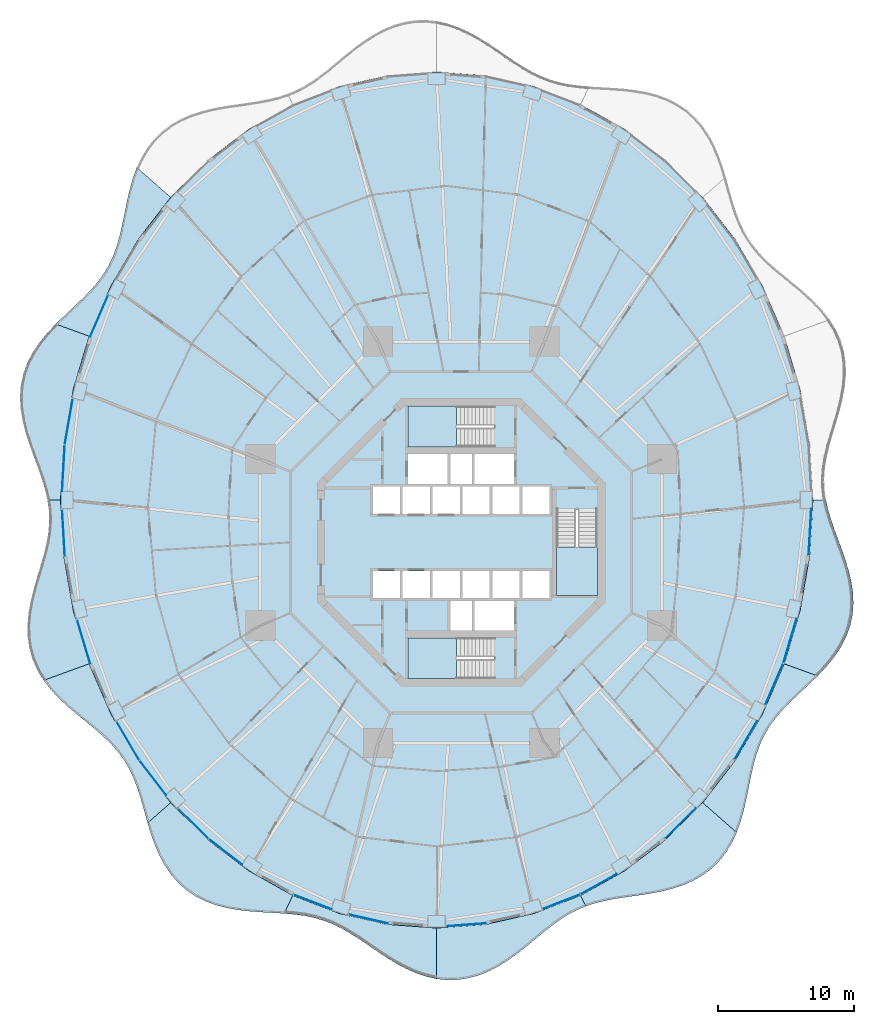
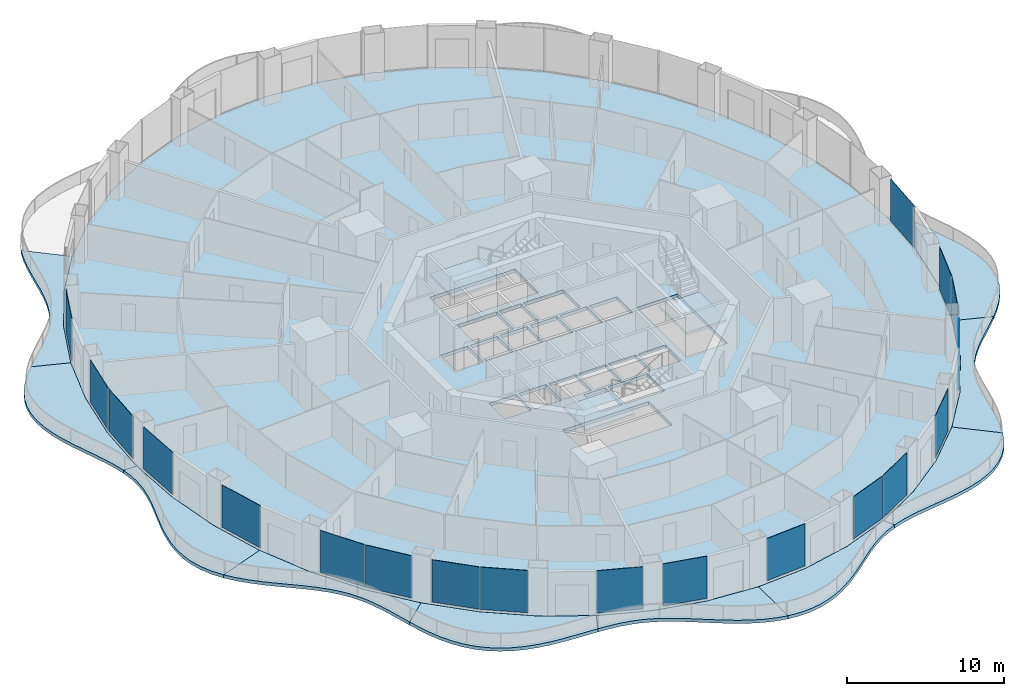
# One storey, part 13 of 24: 19 plates, 14 slabs, 22 elements without a shape of their own.
"""IFC4 building model written with IfcOpenShell, lengths in metres."""

from ifc_helpers import new_model, si_unit, direction, frame, origin, origin_2d, place, context, subcontext, project, spatial, polyline, rectangle, outline, extrude, material, layer, layer_set, type_object, element, aggregate, save


model = new_model("IFC4")

# Units and contexts
model_context = context("Model", 3, precision=1e-05, world=origin(), true_north=direction((0.0, 1.0)))
body_context = subcontext(model_context, "Body", "Model", "MODEL_VIEW")
ifc_project = project(units=[si_unit("LENGTHUNIT", "METRE"), si_unit("AREAUNIT", "SQUARE_METRE"), si_unit("VOLUMEUNIT", "CUBIC_METRE"), si_unit("PLANEANGLEUNIT", "RADIAN"), si_unit("MASSUNIT", "GRAM", prefix="KILO")], contexts=[model_context])

# Site, building, storey
site_placement = place(None, origin())
site = spatial("IfcSite", under=ifc_project, at=site_placement, CompositionType="ELEMENT")
building_placement = place(site_placement, origin())
building = spatial("IfcBuilding", under=site, at=building_placement, Name="Nagisa Residences", CompositionType="ELEMENT")
storey_placement = place(building_placement, frame((0.0, 0.0, 102.89990234375)))
storey = spatial("IfcBuildingStorey", under=building, at=storey_placement, Name="L25", CompositionType="ELEMENT", Elevation=102.89990234375)

# Slabs
ifc_material_1 = material(Name="Concrete C40/50", Category="concrete")
ifc_layer_1 = layer(ifc_material_1, 0.25)
ifc_layer_set_1 = layer_set([ifc_layer_1], Name="BALCONY SLAB 250")
slab_type_1 = type_object("IfcSlabType", Name="BALCONY SLAB 250", PredefinedType="FLOOR", material=ifc_layer_set_1)
slab_1_placement = place(storey_placement, frame((0.0, 0.0, -0.25)))
element("IfcSlab", 1, at=slab_1_placement, inside=storey, type_object=slab_type_1, Name="slab:L25:bal06", PredefinedType="FLOOR", context=body_context, shape_type="SweptSolid", body=[
    extrude(outline(polyline([(-23.879638671875, 27.595947265625), (-24.1767578125, 26.765625), (-24.41552734375, 25.908935546875), (-24.612548828125, 25.042724609375), (-24.786376953125, 24.182373046875), (-24.957275390625, 23.341552734375), (-25.144775390625, 22.53076171875), (-25.367431640625, 21.757568359375), (-25.6396484375, 21.025390625), (-25.972900390625, 20.334228515625), (-26.373046875, 19.6806640625), (-26.8408203125, 19.05810546875), (-27.37109375, 18.457763671875), (-27.953369140625, 17.86962890625), (-28.572509765625, 17.28271484375), (-29.209228515625, 16.6865234375), (-29.84228515625, 16.07177734375), (-27.386962890625, 15.177978515625), (-25.78466796875, 18.875244140625), (-23.77197265625, 22.302734375), (-21.38330078125, 25.402099609375), (-23.879638671875, 27.595947265625)])), origin(), (0.0, 0.0, 1.0), 0.25),
])
slab_2_placement = place(storey_placement, frame((0.0, 0.0, -0.25)))
element("IfcSlab", 2, at=slab_2_placement, inside=storey, type_object=slab_type_1, Name="slab:L25:bal07", PredefinedType="FLOOR", context=body_context, shape_type="SweptSolid", body=[
    extrude(outline(polyline([(-29.84228515625, 16.07177734375), (-30.46728515625, 15.409423828125), (-31.0390625, 14.713134765625), (-31.53564453125, 13.9794921875), (-31.93798828125, 13.208984375), (-32.232421875, 12.404052734375), (-32.412109375, 11.56982421875), (-32.475830078125, 10.71337890625), (-32.43017578125, 9.8427734375), (-32.287841796875, 8.966064453125), (-32.06689453125, 8.091552734375), (-31.7900390625, 7.225341796875), (-31.48291015625, 6.372802734375), (-31.171630859375, 5.5361328125), (-30.8818359375, 4.71630859375), (-30.636474609375, 3.911376953125), (-30.454345703125, 3.11767578125), (-29.4951171875, 3.11767578125), (-29.258056640625, 7.231201171875), (-28.55126953125, 11.2744140625), (-27.386962890625, 15.177978515625), (-29.84228515625, 16.07177734375)])), origin(), (0.0, 0.0, 1.0), 0.25),
])
slab_3_placement = place(storey_placement, frame((0.0, 0.0, -0.25)))
element("IfcSlab", 3, at=slab_3_placement, inside=storey, type_object=slab_type_1, Name="slab:L25:bal08", PredefinedType="FLOOR", context=body_context, shape_type="SweptSolid", body=[
    extrude(outline(polyline([(-30.454345703125, 3.11767578125), (-30.34814453125, 2.330078125), (-30.324951171875, 1.54296875), (-30.384033203125, 0.75), (-30.518310546875, -0.05419921875), (-30.714111328125, -0.8740234375), (-30.95263671875, -1.711669921875), (-31.210205078125, -2.567138671875), (-31.46142578125, -3.438720703125), (-31.68017578125, -4.321533203125), (-31.841552734375, -5.209228515625), (-31.92333984375, -6.09375), (-31.908203125, -6.965576171875), (-31.783935546875, -7.816162109375), (-31.545166015625, -8.636474609375), (-31.193603515625, -9.420166015625), (-30.73681640625, -10.162109375), (-27.386962890625, -8.942626953125), (-28.55126953125, -5.0390625), (-29.258056640625, -0.995849609375), (-29.4951171875, 3.11767578125), (-30.454345703125, 3.11767578125)])), origin(), (0.0, 0.0, 1.0), 0.25),
])
slab_4_placement = place(storey_placement, frame((0.0, 0.0, -0.25)))
element("IfcSlab", 4, at=slab_4_placement, inside=storey, type_object=slab_type_1, Name="slab:L25:bal09", PredefinedType="FLOOR", context=body_context, shape_type="SweptSolid", body=[
    extrude(outline(polyline([(-30.73681640625, -10.162109375), (-30.20703125, -10.83935546875), (-29.60888671875, -11.477294921875), (-28.96240234375, -12.0791015625), (-28.28955078125, -12.65234375), (-27.61279296875, -13.205322265625), (-26.953125, -13.749267578125), (-26.328857421875, -14.2958984375), (-25.7548828125, -14.857177734375), (-25.240966796875, -15.4443359375), (-24.791748046875, -16.066162109375), (-24.406494140625, -16.72998046875), (-24.0791015625, -17.438720703125), (-23.798583984375, -18.192138671875), (-23.55029296875, -18.98583984375), (-23.316650390625, -19.811279296875), (-23.078857421875, -20.65673828125), (-21.38330078125, -19.166748046875), (-23.77197265625, -16.0673828125), (-25.78466796875, -12.639892578125), (-27.386962890625, -8.942626953125), (-30.73681640625, -10.162109375)])), origin(), (0.0, 0.0, 1.0), 0.25),
])
slab_5_placement = place(storey_placement, frame((0.0, 0.0, -0.25)))
element("IfcSlab", 5, at=slab_5_placement, inside=storey, type_object=slab_type_1, Name="slab:L25:bal10", PredefinedType="FLOOR", context=body_context, shape_type="SweptSolid", body=[
    extrude(outline(polyline([(-23.078857421875, -20.65673828125), (-22.830810546875, -21.467529296875), (-22.546142578125, -22.26806640625), (-22.211669921875, -23.04345703125), (-21.81640625, -23.777587890625), (-21.353515625, -24.456787109375), (-20.819091796875, -25.068359375), (-20.214111328125, -25.60302734375), (-19.542236328125, -26.055419921875), (-18.811279296875, -26.423095703125), (-18.031494140625, -26.709228515625), (-17.214599609375, -26.920166015625), (-16.374267578125, -27.066650390625), (-15.5234375, -27.1630859375), (-14.67431640625, -27.2255859375), (-13.837890625, -27.272705078125), (-13.022705078125, -27.32275390625), (-12.3984375, -25.998291015625), (-15.6474609375, -24.175048828125), (-18.65966796875, -21.884765625), (-21.38330078125, -19.166748046875), (-23.078857421875, -20.65673828125)])), origin(), (0.0, 0.0, 1.0), 0.25),
])
slab_6_placement = place(storey_placement, frame((0.0, 0.0, -0.25)))
element("IfcSlab", 6, at=slab_6_placement, inside=storey, type_object=slab_type_1, Name="slab:L25:bal11", PredefinedType="FLOOR", context=body_context, shape_type="SweptSolid", body=[
    extrude(outline(polyline([(-13.022705078125, -27.32275390625), (-12.26220703125, -27.390380859375), (-11.529052734375, -27.4912109375), (-10.822998046875, -27.63671875), (-10.141845703125, -27.835205078125), (-9.480224609375, -28.091064453125), (-8.83251953125, -28.403564453125), (-8.191162109375, -28.76904296875), (-7.548828125, -29.17822265625), (-6.89794921875, -29.618896484375), (-6.232666015625, -30.075927734375), (-5.547607421875, -30.531005859375), (-4.84033203125, -30.965576171875), (-4.109375, -31.360595703125), (-3.356689453125, -31.697998046875), (-2.585205078125, -31.96142578125), (-1.800048828125, -32.13818359375), (-1.800048828125, -28.397216796875), (-5.4150390625, -28.127685546875), (-8.968017578125, -27.323486328125), (-12.3984375, -25.998291015625), (-13.022705078125, -27.32275390625)])), origin(), (0.0, 0.0, 1.0), 0.25),
])
slab_7_placement = place(storey_placement, frame((0.0, 0.0, -0.25)))
element("IfcSlab", 7, at=slab_7_placement, inside=storey, type_object=slab_type_1, Name="slab:L25:bal12", PredefinedType="FLOOR", context=body_context, shape_type="SweptSolid", body=[
    extrude(outline(polyline([(-1.800048828125, -32.13818359375), (-1.007568359375, -32.21875), (-0.215087890625, -32.1982421875), (0.570068359375, -32.076171875), (1.3408203125, -31.85693359375), (2.091552734375, -31.549072265625), (2.817626953125, -31.1650390625), (3.516845703125, -30.719970703125), (4.188720703125, -30.23193359375), (4.83544921875, -29.7197265625), (5.461181640625, -29.201904296875), (6.07177734375, -28.696044921875), (6.674560546875, -28.218505859375), (7.277587890625, -27.781494140625), (7.8896484375, -27.39453125), (8.518310546875, -27.062744140625), (9.170166015625, -26.787109375), (8.79833984375, -25.998291015625), (5.367919921875, -27.323486328125), (1.81494140625, -28.127685546875), (-1.800048828125, -28.397216796875), (-1.800048828125, -32.13818359375)])), origin(), (0.0, 0.0, 1.0), 0.25),
])
slab_8_placement = place(storey_placement, frame((0.0, 0.0, -0.25)))
element("IfcSlab", 8, at=slab_8_placement, inside=storey, type_object=slab_type_1, Name="slab:L25:bal13", PredefinedType="FLOOR", context=body_context, shape_type="SweptSolid", body=[
    extrude(outline(polyline([(9.170166015625, -26.787109375), (9.876220703125, -26.556884765625), (10.615478515625, -26.37548828125), (11.3876953125, -26.231201171875), (12.189453125, -26.109130859375), (13.013916015625, -25.992431640625), (13.851806640625, -25.86376953125), (14.69140625, -25.705322265625), (15.51904296875, -25.501708984375), (16.320556640625, -25.239013671875), (17.082275390625, -24.90673828125), (17.791015625, -24.498779296875), (18.436279296875, -24.011962890625), (19.010009765625, -23.447998046875), (19.508056640625, -22.811767578125), (19.93017578125, -22.1123046875), (20.279541015625, -21.3603515625), (17.783203125, -19.166748046875), (15.0595703125, -21.884765625), (12.047607421875, -24.175048828125), (8.79833984375, -25.998291015625), (9.170166015625, -26.787109375)])), origin(), (0.0, 0.0, 1.0), 0.25),
])
slab_9_placement = place(storey_placement, frame((0.0, 0.0, -0.25)))
element("IfcSlab", 9, at=slab_9_placement, inside=storey, type_object=slab_type_1, Name="slab:L25:bal14", PredefinedType="FLOOR", context=body_context, shape_type="SweptSolid", body=[
    extrude(outline(polyline([(20.279541015625, -21.3603515625), (20.57666015625, -20.5302734375), (20.815673828125, -19.673583984375), (21.012451171875, -18.807373046875), (21.186279296875, -17.947021484375), (21.357177734375, -17.106201171875), (21.544921875, -16.29541015625), (21.767333984375, -15.52197265625), (22.039794921875, -14.789794921875), (22.373046875, -14.098876953125), (22.773193359375, -13.445068359375), (23.240966796875, -12.82275390625), (23.771240234375, -12.222412109375), (24.353271484375, -11.63427734375), (24.972412109375, -11.04736328125), (25.609375, -10.451171875), (26.2421875, -9.83642578125), (23.786865234375, -8.942626953125), (22.1845703125, -12.639892578125), (20.171875, -16.0673828125), (17.783203125, -19.166748046875), (20.279541015625, -21.3603515625)])), origin(), (0.0, 0.0, 1.0), 0.25),
])
slab_10_placement = place(storey_placement, frame((0.0, 0.0, -0.25)))
element("IfcSlab", 10, at=slab_10_placement, inside=storey, type_object=slab_type_1, Name="slab:L25:bal15", PredefinedType="FLOOR", context=body_context, shape_type="SweptSolid", body=[
    extrude(outline(polyline([(26.2421875, -9.83642578125), (26.8671875, -9.174072265625), (27.439208984375, -8.477783203125), (27.935546875, -7.744140625), (28.337890625, -6.9736328125), (28.632568359375, -6.168701171875), (28.81201171875, -5.33447265625), (28.8759765625, -4.47802734375), (28.830322265625, -3.607421875), (28.687744140625, -2.730712890625), (28.466796875, -1.856201171875), (28.190185546875, -0.989990234375), (27.8828125, -0.137451171875), (27.571533203125, 0.69921875), (27.28173828125, 1.51904296875), (27.036376953125, 2.323974609375), (26.854248046875, 3.11767578125), (25.89501953125, 3.11767578125), (25.657958984375, -0.995849609375), (24.951416015625, -5.0390625), (23.786865234375, -8.942626953125), (26.2421875, -9.83642578125)])), origin(), (0.0, 0.0, 1.0), 0.25),
])

# Curtain wall, plate
ifc_material_2 = material(Name="Concrete-coloured aluminium curtain wall system", Category="concrete")
ifc_layer_2 = layer(ifc_material_2, 0.159912109375)
ifc_layer_set_2 = layer_set([ifc_layer_2], Name="CW1 CURTAIN WALL")
curtain_wall_type = type_object("IfcCurtainWallType", Name="CW1 CURTAIN WALL", PredefinedType="NOTDEFINED", material=ifc_layer_set_2)
curtain_wall_1_placement = place(storey_placement, origin())
curtain_wall_1 = element("IfcCurtainWall", 11, at=curtain_wall_1_placement, inside=storey, type_object=curtain_wall_type, Name="cw:CW1:L25:20", PredefinedType="NOTDEFINED")
ifc_material_3 = material(Name="Clear laminated glass", Category="glass")
ifc_layer_3 = layer(ifc_material_3, 0.028076171875)
ifc_layer_set_3 = layer_set([ifc_layer_3], Name="CW1 GLASS PANEL")
plate_type = type_object("IfcPlateType", Name="CW1 GLASS PANEL", PredefinedType="CURTAIN_PANEL", material=ifc_layer_set_3)
plate_1_placement = place(storey_placement, frame((-26.653564453125, 16.6689453125, 0.150146484375), z_axis=(0.0, 0.0, 1.0), x_axis=(-0.397635934147, -0.917543276295, 0.0)))
plate_1 = element("IfcPlate", 12, at=plate_1_placement, type_object=plate_type, Name="CW1 panel", PredefinedType="CURTAIN_PANEL", context=body_context, shape_type="SweptSolid", body=[
    extrude(rectangle(XDim=3.319580078125, YDim=0.028076171875, at=origin_2d()), origin(), (0.0, 0.0, 1.0), 3.2900390625),
])
aggregate(curtain_wall_1, [plate_1])

curtain_wall_2_placement = place(storey_placement, origin())
curtain_wall_2 = element("IfcCurtainWall", 13, at=curtain_wall_2_placement, inside=storey, type_object=curtain_wall_type, Name="cw:CW1:L25:22", PredefinedType="NOTDEFINED")
plate_2_placement = place(storey_placement, frame((-28.886962890625, 8.889404296875, 0.150146484375), z_axis=(0.0, 0.0, 1.0), x_axis=(-0.172190868898, -0.985063604377, 0.0)))
plate_2 = element("IfcPlate", 14, at=plate_2_placement, type_object=plate_type, Name="CW1 panel", PredefinedType="CURTAIN_PANEL", context=body_context, shape_type="SweptSolid", body=[
    extrude(rectangle(XDim=3.39453125, YDim=0.028076171875, at=origin_2d()), origin(), (0.0, 0.0, 1.0), 3.2900390625),
])
aggregate(curtain_wall_2, [plate_2])

curtain_wall_3_placement = place(storey_placement, origin())
curtain_wall_3 = element("IfcCurtainWall", 15, at=curtain_wall_3_placement, inside=storey, type_object=curtain_wall_type, Name="cw:CW1:L25:23", PredefinedType="NOTDEFINED")
plate_3_placement = place(storey_placement, frame((-29.27978515625, 5.46435546875, 0.150146484375), z_axis=(0.0, 0.0, 1.0), x_axis=(-0.057503492216, -0.998345305184, 0.0)))
plate_3 = element("IfcPlate", 16, at=plate_3_placement, type_object=plate_type, Name="CW1 panel", PredefinedType="CURTAIN_PANEL", context=body_context, shape_type="SweptSolid", body=[
    extrude(rectangle(XDim=3.410400390625, YDim=0.028076171875, at=origin_2d()), origin(), (0.0, 0.0, 1.0), 3.2900390625),
])
aggregate(curtain_wall_3, [plate_3])

curtain_wall_4_placement = place(storey_placement, origin())
curtain_wall_4 = element("IfcCurtainWall", 17, at=curtain_wall_4_placement, inside=storey, type_object=curtain_wall_type, Name="cw:CW1:L25:24", PredefinedType="NOTDEFINED")
plate_4_placement = place(storey_placement, frame((-29.2763671875, 0.711181640625, 0.150146484375), z_axis=(0.0, 0.0, 1.0), x_axis=(0.057503492216, -0.998345305184, 0.0)))
plate_4 = element("IfcPlate", 18, at=plate_4_placement, type_object=plate_type, Name="CW1 panel", PredefinedType="CURTAIN_PANEL", context=body_context, shape_type="SweptSolid", body=[
    extrude(rectangle(XDim=3.410400390625, YDim=0.028076171875, at=origin_2d()), origin(), (0.0, 0.0, 1.0), 3.2900390625),
])
aggregate(curtain_wall_4, [plate_4])

curtain_wall_5_placement = place(storey_placement, origin())
curtain_wall_5 = element("IfcCurtainWall", 19, at=curtain_wall_5_placement, inside=storey, type_object=curtain_wall_type, Name="cw:CW1:L25:26", PredefinedType="NOTDEFINED")
plate_5_placement = place(storey_placement, frame((-27.791015625, -7.30810546875, 0.150146484375), z_axis=(0.0, 0.0, 1.0), x_axis=(0.285860274038, -0.958271310082, 0.0)))
plate_5 = element("IfcPlate", 20, at=plate_5_placement, type_object=plate_type, Name="CW1 panel", PredefinedType="CURTAIN_PANEL", context=body_context, shape_type="SweptSolid", body=[
    extrude(rectangle(XDim=3.363525390625, YDim=0.028076171875, at=origin_2d()), origin(), (0.0, 0.0, 1.0), 3.2900390625),
])
aggregate(curtain_wall_5, [plate_5])

curtain_wall_6_placement = place(storey_placement, origin())
curtain_wall_6 = element("IfcCurtainWall", 21, at=curtain_wall_6_placement, inside=storey, type_object=curtain_wall_type, Name="cw:CW1:L25:28", PredefinedType="NOTDEFINED")
plate_6_placement = place(storey_placement, frame((-24.529541015625, -14.619140625, 0.150146484375), z_axis=(0.0, 0.0, 1.0), x_axis=(0.506348567002, -0.862328898214, 0.0)))
plate_6 = element("IfcPlate", 22, at=plate_6_placement, type_object=plate_type, Name="CW1 panel", PredefinedType="CURTAIN_PANEL", context=body_context, shape_type="SweptSolid", body=[
    extrude(rectangle(XDim=3.264892578125, YDim=0.028076171875, at=origin_2d()), origin(), (0.0, 0.0, 1.0), 3.2900390625),
])
aggregate(curtain_wall_6, [plate_6])

curtain_wall_7_placement = place(storey_placement, origin())
curtain_wall_7 = element("IfcCurtainWall", 23, at=curtain_wall_7_placement, inside=storey, type_object=curtain_wall_type, Name="cw:CW1:L25:29", PredefinedType="NOTDEFINED")
plate_7_placement = place(storey_placement, frame((-22.6943359375, -17.334716796875, 0.150146484375), z_axis=(0.0, 0.0, 1.0), x_axis=(0.610429828235, -0.792070340816, 0.0)))
plate_7 = element("IfcPlate", 24, at=plate_7_placement, type_object=plate_type, Name="CW1 panel", PredefinedType="CURTAIN_PANEL", context=body_context, shape_type="SweptSolid", body=[
    extrude(rectangle(XDim=3.202880859375, YDim=0.028076171875, at=origin_2d()), origin(), (0.0, 0.0, 1.0), 3.2900390625),
])
aggregate(curtain_wall_7, [plate_7])

curtain_wall_8_placement = place(storey_placement, origin())
curtain_wall_8 = element("IfcCurtainWall", 25, at=curtain_wall_8_placement, inside=storey, type_object=curtain_wall_type, Name="cw:CW1:L25:30", PredefinedType="NOTDEFINED")
plate_8_placement = place(storey_placement, frame((-19.713623046875, -20.719970703125, 0.150146484375), z_axis=(0.0, 0.0, 1.0), x_axis=(0.707835924016, -0.706376885714, 0.0)))
plate_8 = element("IfcPlate", 26, at=plate_8_placement, type_object=plate_type, Name="CW1 panel", PredefinedType="CURTAIN_PANEL", context=body_context, shape_type="SweptSolid", body=[
    extrude(rectangle(XDim=3.137939453125, YDim=0.028076171875, at=origin_2d()), origin(), (0.0, 0.0, 1.0), 3.2900390625),
])
aggregate(curtain_wall_8, [plate_8])

curtain_wall_9_placement = place(storey_placement, origin())
curtain_wall_9 = element("IfcCurtainWall", 27, at=curtain_wall_9_placement, inside=storey, type_object=curtain_wall_type, Name="cw:CW1:L25:31", PredefinedType="NOTDEFINED")
plate_9_placement = place(storey_placement, frame((-17.340087890625, -22.787841796875, 0.150146484375), z_axis=(0.0, 0.0, 1.0), x_axis=(0.79603132756, -0.605255421737, 0.0)))
plate_9 = element("IfcPlate", 28, at=plate_9_placement, type_object=plate_type, Name="CW1 panel", PredefinedType="CURTAIN_PANEL", context=body_context, shape_type="SweptSolid", body=[
    extrude(rectangle(XDim=3.073974609375, YDim=0.028076171875, at=origin_2d()), origin(), (0.0, 0.0, 1.0), 3.2900390625),
])
aggregate(curtain_wall_9, [plate_9])

curtain_wall_10_placement = place(storey_placement, origin())
curtain_wall_10 = element("IfcCurtainWall", 29, at=curtain_wall_10_placement, inside=storey, type_object=curtain_wall_type, Name="cw:CW1:L25:33", PredefinedType="NOTDEFINED")
plate_10_placement = place(storey_placement, frame((-10.929443359375, -26.47998046875, 0.150146484375), z_axis=(0.0, 0.0, 1.0), x_axis=(0.932825759707, -0.360327770268, 0.0)))
plate_10 = element("IfcPlate", 30, at=plate_10_placement, type_object=plate_type, Name="CW1 panel", PredefinedType="CURTAIN_PANEL", context=body_context, shape_type="SweptSolid", body=[
    extrude(rectangle(XDim=2.967529296875, YDim=0.028076171875, at=origin_2d()), origin(), (0.0, 0.0, 1.0), 3.2900390625),
])
aggregate(curtain_wall_10, [plate_10])

curtain_wall_11_placement = place(storey_placement, origin())
curtain_wall_11 = element("IfcCurtainWall", 31, at=curtain_wall_11_placement, inside=storey, type_object=curtain_wall_type, Name="cw:CW1:L25:34", PredefinedType="NOTDEFINED")
plate_11_placement = place(storey_placement, frame((-6.82763671875, -27.725830078125, 0.150146484375), z_axis=(0.0, 0.0, 1.0), x_axis=(0.975327274089, -0.2207639201, 0.0)))
plate_11 = element("IfcPlate", 32, at=plate_11_placement, type_object=plate_type, Name="CW1 panel", PredefinedType="CURTAIN_PANEL", context=body_context, shape_type="SweptSolid", body=[
    extrude(rectangle(XDim=2.932861328125, YDim=0.028076171875, at=origin_2d()), origin(), (0.0, 0.0, 1.0), 3.2900390625),
])
aggregate(curtain_wall_11, [plate_11])

curtain_wall_12_placement = place(storey_placement, origin())
curtain_wall_12 = element("IfcCurtainWall", 33, at=curtain_wall_12_placement, inside=storey, type_object=curtain_wall_type, Name="cw:CW1:L25:36", PredefinedType="NOTDEFINED")
plate_12_placement = place(storey_placement, frame((0.35546875, -28.15625, 0.150146484375), z_axis=(0.0, 0.0, 1.0), x_axis=(0.997230168512, 0.074377355493, 0.0)))
plate_12 = element("IfcPlate", 34, at=plate_12_placement, type_object=plate_type, Name="CW1 panel", PredefinedType="CURTAIN_PANEL", context=body_context, shape_type="SweptSolid", body=[
    extrude(rectangle(XDim=2.9150390625, YDim=0.028076171875, at=origin_2d()), origin(), (0.0, 0.0, 1.0), 3.2900390625),
])
aggregate(curtain_wall_12, [plate_12])

curtain_wall_13_placement = place(storey_placement, origin())
curtain_wall_13 = element("IfcCurtainWall", 35, at=curtain_wall_13_placement, inside=storey, type_object=curtain_wall_type, Name="cw:CW1:L25:38", PredefinedType="NOTDEFINED")
plate_13_placement = place(storey_placement, frame((7.385498046875, -26.45849609375, 0.150146484375), z_axis=(0.0, 0.0, 1.0), x_axis=(0.932825759707, 0.360327770268, 0.0)))
plate_13 = element("IfcPlate", 36, at=plate_13_placement, type_object=plate_type, Name="CW1 panel", PredefinedType="CURTAIN_PANEL", context=body_context, shape_type="SweptSolid", body=[
    extrude(rectangle(XDim=2.967529296875, YDim=0.028076171875, at=origin_2d()), origin(), (0.0, 0.0, 1.0), 3.2900390625),
])
aggregate(curtain_wall_13, [plate_13])

curtain_wall_14_placement = place(storey_placement, origin())
curtain_wall_14 = element("IfcCurtainWall", 37, at=curtain_wall_14_placement, inside=storey, type_object=curtain_wall_type, Name="cw:CW1:L25:39", PredefinedType="NOTDEFINED")
plate_14_placement = place(storey_placement, frame((10.12646484375, -25.161376953125, 0.150146484375), z_axis=(0.0, 0.0, 1.0), x_axis=(0.872072377523, 0.489376918501, 0.0)))
plate_14 = element("IfcPlate", 38, at=plate_14_placement, type_object=plate_type, Name="CW1 panel", PredefinedType="CURTAIN_PANEL", context=body_context, shape_type="SweptSolid", body=[
    extrude(rectangle(XDim=3.015625, YDim=0.028076171875, at=origin_2d()), origin(), (0.0, 0.0, 1.0), 3.2900390625),
])
aggregate(curtain_wall_14, [plate_14])

curtain_wall_15_placement = place(storey_placement, origin())
curtain_wall_15 = element("IfcCurtainWall", 39, at=curtain_wall_15_placement, inside=storey, type_object=curtain_wall_type, Name="cw:CW1:L25:41", PredefinedType="NOTDEFINED")
plate_15_placement = place(storey_placement, frame((16.15625, -20.677490234375, 0.150146484375), z_axis=(0.0, 0.0, 1.0), x_axis=(0.707835924016, 0.706376885714, 0.0)))
plate_15 = element("IfcPlate", 40, at=plate_15_placement, type_object=plate_type, Name="CW1 panel", PredefinedType="CURTAIN_PANEL", context=body_context, shape_type="SweptSolid", body=[
    extrude(rectangle(XDim=3.137939453125, YDim=0.028076171875, at=origin_2d()), origin(), (0.0, 0.0, 1.0), 3.2900390625),
])
aggregate(curtain_wall_15, [plate_15])

curtain_wall_16_placement = place(storey_placement, origin())
curtain_wall_16 = element("IfcCurtainWall", 41, at=curtain_wall_16_placement, inside=storey, type_object=curtain_wall_type, Name="cw:CW1:L25:43", PredefinedType="NOTDEFINED")
plate_16_placement = place(storey_placement, frame((20.9599609375, -14.5673828125, 0.150146484375), z_axis=(0.0, 0.0, 1.0), x_axis=(0.506348567002, 0.862328898214, 0.0)))
plate_16 = element("IfcPlate", 42, at=plate_16_placement, type_object=plate_type, Name="CW1 panel", PredefinedType="CURTAIN_PANEL", context=body_context, shape_type="SweptSolid", body=[
    extrude(rectangle(XDim=3.264892578125, YDim=0.028076171875, at=origin_2d()), origin(), (0.0, 0.0, 1.0), 3.2900390625),
])
aggregate(curtain_wall_16, [plate_16])

curtain_wall_17_placement = place(storey_placement, origin())
curtain_wall_17 = element("IfcCurtainWall", 43, at=curtain_wall_17_placement, inside=storey, type_object=curtain_wall_type, Name="cw:CW1:L25:44", PredefinedType="NOTDEFINED")
plate_17_placement = place(storey_placement, frame((23.053466796875, -10.43359375, 0.150146484375), z_axis=(0.0, 0.0, 1.0), x_axis=(0.397635934147, 0.917543276295, 0.0)))
plate_17 = element("IfcPlate", 44, at=plate_17_placement, type_object=plate_type, Name="CW1 panel", PredefinedType="CURTAIN_PANEL", context=body_context, shape_type="SweptSolid", body=[
    extrude(rectangle(XDim=3.319580078125, YDim=0.028076171875, at=origin_2d()), origin(), (0.0, 0.0, 1.0), 3.2900390625),
])
aggregate(curtain_wall_17, [plate_17])

curtain_wall_18_placement = place(storey_placement, origin())
curtain_wall_18 = element("IfcCurtainWall", 45, at=curtain_wall_18_placement, inside=storey, type_object=curtain_wall_type, Name="cw:CW1:L25:45", PredefinedType="NOTDEFINED")
plate_18_placement = place(storey_placement, frame((24.2080078125, -7.25048828125, 0.150146484375), z_axis=(0.0, 0.0, 1.0), x_axis=(0.285860274038, 0.958271310082, 0.0)))
plate_18 = element("IfcPlate", 46, at=plate_18_placement, type_object=plate_type, Name="CW1 panel", PredefinedType="CURTAIN_PANEL", context=body_context, shape_type="SweptSolid", body=[
    extrude(rectangle(XDim=3.363525390625, YDim=0.028076171875, at=origin_2d()), origin(), (0.0, 0.0, 1.0), 3.2900390625),
])
aggregate(curtain_wall_18, [plate_18])

curtain_wall_19_placement = place(storey_placement, origin())
curtain_wall_19 = element("IfcCurtainWall", 47, at=curtain_wall_19_placement, inside=storey, type_object=curtain_wall_type, Name="cw:CW1:L25:47", PredefinedType="NOTDEFINED")
plate_19_placement = place(storey_placement, frame((25.6796875, 0.77099609375, 0.150146484375), z_axis=(0.0, 0.0, 1.0), x_axis=(0.057503492216, 0.998345305184, 0.0)))
plate_19 = element("IfcPlate", 48, at=plate_19_placement, type_object=plate_type, Name="CW1 panel", PredefinedType="CURTAIN_PANEL", context=body_context, shape_type="SweptSolid", body=[
    extrude(rectangle(XDim=3.410400390625, YDim=0.028076171875, at=origin_2d()), origin(), (0.0, 0.0, 1.0), 3.2900390625),
])
aggregate(curtain_wall_19, [plate_19])

# Slab
ifc_material_4 = material(Name="Concrete C40", Category="concrete")
ifc_layer_4 = layer(ifc_material_4, 0.260009765625)
ifc_layer_set_4 = layer_set([ifc_layer_4], Name="Floor slab 260")
slab_type_2 = type_object("IfcSlabType", Name="Floor slab 260", PredefinedType="FLOOR", material=ifc_layer_set_4)
slab_11_placement = place(storey_placement, frame((0.0, 0.0, -0.260009765625)))
element("IfcSlab", 49, at=slab_11_placement, inside=storey, type_object=slab_type_2, Name="slab:L25:floor", PredefinedType="FLOOR", context=body_context, shape_type="SweptSolid", body=[
    extrude(outline(polyline([(25.89501953125, 3.11767578125), (25.657958984375, 7.231201171875), (24.951416015625, 11.2744140625), (23.786865234375, 15.177978515625), (22.1845703125, 18.875244140625), (20.171875, 22.302734375), (17.783203125, 25.402099609375), (15.0595703125, 28.1201171875), (12.047607421875, 30.410400390625), (8.79833984375, 32.233642578125), (5.367919921875, 33.558837890625), (1.81494140625, 34.363037109375), (-1.800048828125, 34.6328125), (-5.4150390625, 34.363037109375), (-8.968017578125, 33.558837890625), (-12.3984375, 32.233642578125), (-15.6474609375, 30.410400390625), (-18.65966796875, 28.1201171875), (-21.38330078125, 25.402099609375), (-23.77197265625, 22.302734375), (-25.78466796875, 18.875244140625), (-27.386962890625, 15.177978515625), (-28.55126953125, 11.2744140625), (-29.258056640625, 7.231201171875), (-29.4951171875, 3.11767578125), (-29.258056640625, -0.995849609375), (-28.55126953125, -5.0390625), (-27.386962890625, -8.942626953125), (-25.78466796875, -12.639892578125), (-23.77197265625, -16.0673828125), (-21.38330078125, -19.166748046875), (-18.65966796875, -21.884765625), (-15.6474609375, -24.175048828125), (-12.3984375, -25.998291015625), (-8.968017578125, -27.323486328125), (-5.4150390625, -28.127685546875), (-1.800048828125, -28.397216796875), (1.81494140625, -28.127685546875), (5.367919921875, -27.323486328125), (8.79833984375, -25.998291015625), (12.047607421875, -24.175048828125), (15.0595703125, -21.884765625), (17.783203125, -19.166748046875), (20.171875, -16.0673828125), (22.1845703125, -12.639892578125), (23.786865234375, -8.942626953125), (24.951416015625, -5.0390625), (25.657958984375, -0.995849609375), (25.89501953125, 3.11767578125)]), holes=[polyline([(-4.5, 2.10009765625), (-4.5, 4.10009765625), (-6.5, 4.10009765625), (-6.5, 2.10009765625), (-4.5, 2.10009765625)]), polyline([(-2.300048828125, 2.10009765625), (-2.300048828125, 4.10009765625), (-4.300048828125, 4.10009765625), (-4.300048828125, 2.10009765625), (-2.300048828125, 2.10009765625)]), polyline([(-0.10009765625, 2.10009765625), (-0.10009765625, 4.10009765625), (-2.10009765625, 4.10009765625), (-2.10009765625, 2.10009765625), (-0.10009765625, 2.10009765625)]), polyline([(2.10009765625, 2.10009765625), (2.10009765625, 4.10009765625), (0.10009765625, 4.10009765625), (0.10009765625, 2.10009765625), (2.10009765625, 2.10009765625)]), polyline([(4.300048828125, 2.10009765625), (4.300048828125, 4.10009765625), (2.300048828125, 4.10009765625), (2.300048828125, 2.10009765625), (4.300048828125, 2.10009765625)]), polyline([(6.5, 2.10009765625), (6.5, 4.10009765625), (4.5, 4.10009765625), (4.5, 2.10009765625), (6.5, 2.10009765625)]), polyline([(-4.5, -4.10009765625), (-4.5, -2.10009765625), (-6.5, -2.10009765625), (-6.5, -4.10009765625), (-4.5, -4.10009765625)]), polyline([(-2.300048828125, -4.10009765625), (-2.300048828125, -2.10009765625), (-4.300048828125, -2.10009765625), (-4.300048828125, -4.10009765625), (-2.300048828125, -4.10009765625)]), polyline([(-0.10009765625, -4.10009765625), (-0.10009765625, -2.10009765625), (-2.10009765625, -2.10009765625), (-2.10009765625, -4.10009765625), (-0.10009765625, -4.10009765625)]), polyline([(2.10009765625, -4.10009765625), (2.10009765625, -2.10009765625), (0.10009765625, -2.10009765625), (0.10009765625, -4.10009765625), (2.10009765625, -4.10009765625)]), polyline([(4.300048828125, -4.10009765625), (4.300048828125, -2.10009765625), (2.300048828125, -2.10009765625), (2.300048828125, -4.10009765625), (4.300048828125, -4.10009765625)]), polyline([(6.5, -4.10009765625), (6.5, -2.10009765625), (4.5, -2.10009765625), (4.5, -4.10009765625), (6.5, -4.10009765625)]), polyline([(3.89990234375, 4.300048828125), (3.89990234375, 6.5), (1.0, 6.5), (1.0, 4.300048828125), (3.89990234375, 4.300048828125)]), polyline([(3.89990234375, -6.5), (3.89990234375, -4.300048828125), (1.0, -4.300048828125), (1.0, -6.5), (3.89990234375, -6.5)]), polyline([(-1.0, 4.300048828125), (-1.0, 6.5), (-3.89990234375, 6.5), (-3.89990234375, 4.300048828125), (-1.0, 4.300048828125)]), polyline([(0.800048828125, 4.300048828125), (0.800048828125, 6.5), (-0.800048828125, 6.5), (-0.800048828125, 4.300048828125), (0.800048828125, 4.300048828125)]), polyline([(0.800048828125, -6.5), (0.800048828125, -4.300048828125), (-0.800048828125, -4.300048828125), (-0.800048828125, -6.5), (0.800048828125, -6.5)]), polyline([(10.024658203125, -3.89990234375), (7.024658203125, -3.89990234375), (7.024658203125, 2.425048828125), (10.024658203125, 2.425048828125), (10.024658203125, -3.89990234375)]), polyline([(-3.89990234375, 7.024658203125), (-3.89990234375, 10.024658203125), (2.425048828125, 10.024658203125), (2.425048828125, 7.024658203125), (-3.89990234375, 7.024658203125)]), polyline([(-3.89990234375, -10.024658203125), (-3.89990234375, -7.024658203125), (2.425048828125, -7.024658203125), (2.425048828125, -10.024658203125), (-3.89990234375, -10.024658203125)])]), origin(), (0.0, 0.0, 1.0), 0.260009765625),
])

# Stair, slab
ifc_material_5 = material(Name="Concrete C60", Category="concrete")
stair_type = type_object("IfcStairType", Name="Exit stair", PredefinedType="HALF_TURN_STAIR", material=ifc_material_5)
stair_1_placement = place(storey_placement, origin())
stair_1 = element("IfcStair", 50, at=stair_1_placement, inside=storey, type_object=stair_type, Name="L25 Exit stair E", PredefinedType="HALF_TURN_STAIR")
ifc_material_6 = material(Name="Concrete C60", Category="concrete")
ifc_layer_5 = layer(ifc_material_6, 0.199951171875)
ifc_layer_set_5 = layer_set([ifc_layer_5], Name="Stair landing")
slab_type_3 = type_object("IfcSlabType", Name="Stair landing", PredefinedType="LANDING", material=ifc_layer_set_5)
slab_12_placement = place(storey_placement, frame((0.0, 0.0, 1.650146484375)))
slab_12 = element("IfcSlab", 51, at=slab_12_placement, type_object=slab_type_3, Name="ST-E landing 1", PredefinedType="LANDING", context=body_context, shape_type="SweptSolid", body=[
    extrude(outline(polyline([(7.024658203125, -0.324951171875), (7.024658203125, -3.89990234375), (10.024658203125, -3.89990234375), (10.024658203125, -0.324951171875), (7.024658203125, -0.324951171875)])), origin(), (0.0, 0.0, 1.0), 0.199951171875),
])
aggregate(stair_1, [slab_12])

stair_2_placement = place(storey_placement, origin())
stair_2 = element("IfcStair", 52, at=stair_2_placement, inside=storey, type_object=stair_type, Name="L25 Exit stair N", PredefinedType="HALF_TURN_STAIR")
slab_13_placement = place(storey_placement, frame((0.0, 0.0, 1.650146484375)))
slab_13 = element("IfcSlab", 53, at=slab_13_placement, type_object=slab_type_3, Name="ST-N landing 1", PredefinedType="LANDING", context=body_context, shape_type="SweptSolid", body=[
    extrude(outline(polyline([(-0.324951171875, 10.024658203125), (-3.89990234375, 10.024658203125), (-3.89990234375, 7.024658203125), (-0.324951171875, 7.024658203125), (-0.324951171875, 10.024658203125)])), origin(), (0.0, 0.0, 1.0), 0.199951171875),
])
aggregate(stair_2, [slab_13])

stair_3_placement = place(storey_placement, origin())
stair_3 = element("IfcStair", 54, at=stair_3_placement, inside=storey, type_object=stair_type, Name="L25 Exit stair S", PredefinedType="HALF_TURN_STAIR")
slab_14_placement = place(storey_placement, frame((0.0, 0.0, 1.650146484375)))
slab_14 = element("IfcSlab", 55, at=slab_14_placement, type_object=slab_type_3, Name="ST-S landing 1", PredefinedType="LANDING", context=body_context, shape_type="SweptSolid", body=[
    extrude(outline(polyline([(-0.324951171875, -7.024658203125), (-3.89990234375, -7.024658203125), (-3.89990234375, -10.024658203125), (-0.324951171875, -10.024658203125), (-0.324951171875, -7.024658203125)])), origin(), (0.0, 0.0, 1.0), 0.199951171875),
])
aggregate(stair_3, [slab_14])

save(model, "model.ifc")
